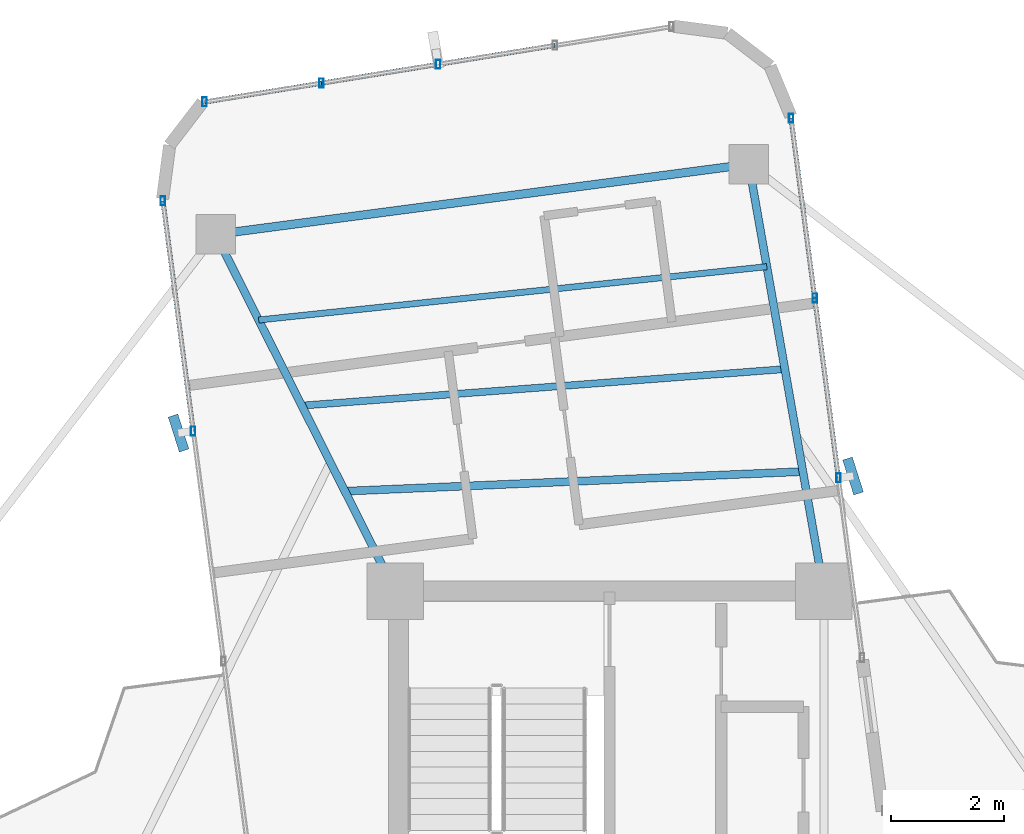
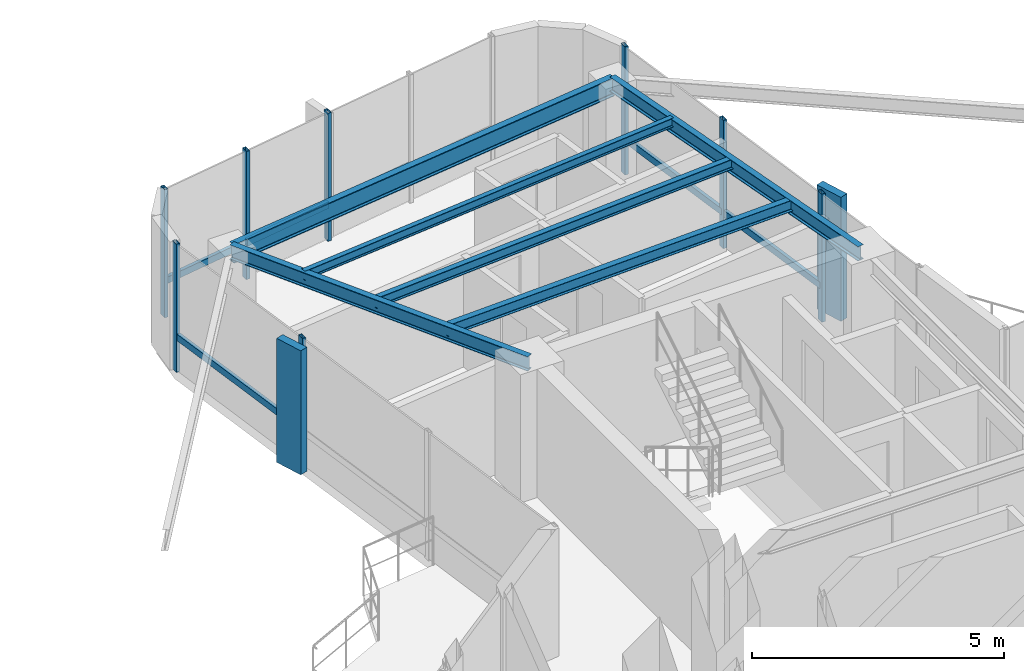
# One storey, part 14 of 22: 16 members, 6 beams, 3 elements without a shape of their own.
"""IFC4 building model written with IfcOpenShell, lengths in metres."""

from ifc_helpers import new_model, si_unit, direction, frame, origin, origin_2d, place, context, subcontext, project, spatial, rectangle, hollow_rectangle, i_section, extrude, source, transform, mapped, material, material_profile, profile_set, type_object, element, aggregate, save


model = new_model("IFC4")

# Units and contexts
model_context = context("Model", 3, precision=1e-05, world=origin(), true_north=direction((0.0, 1.0)))
body_context = subcontext(model_context, "Body", "Model", "MODEL_VIEW")
ifc_project = project(units=[si_unit("LENGTHUNIT", "METRE"), si_unit("AREAUNIT", "SQUARE_METRE"), si_unit("VOLUMEUNIT", "CUBIC_METRE"), si_unit("PLANEANGLEUNIT", "RADIAN"), si_unit("MASSUNIT", "GRAM", prefix="KILO")], contexts=[model_context])

# Site, building, storey
site_placement = place(None, origin())
site = spatial("IfcSite", under=ifc_project, at=site_placement, CompositionType="ELEMENT")
building_placement = place(site_placement, origin())
building = spatial("IfcBuilding", under=site, at=building_placement, Name="Sahyath Konkavel Grand Hotel", CompositionType="ELEMENT")
storey_placement = place(building_placement, frame((0.0, 0.0, 244.5)))
storey = spatial("IfcBuildingStorey", under=building, at=storey_placement, Name="L68", CompositionType="ELEMENT", Elevation=244.5)

# Beams
ifc_material_1 = material(Name="Steel E350", Category="steel")
ifc_material_profile_1 = material_profile(ifc_material_1, i_section(OverallWidth=0.139892578125, OverallDepth=0.35009765625, WebThickness=0.008056640625, FlangeThickness=0.01416015625, FilletRadius=0.013916015625, at=origin_2d()), Name="ISMB 350")
ifc_profile_set_1 = profile_set([ifc_material_profile_1], Name="Steel E350")
beam_type_1 = type_object("IfcBeamType", Name="BM-ISMB350", PredefinedType="BEAM", material=ifc_profile_set_1)
shared_shape_1 = source(origin(), body_context, "Body", "SweptSolid", [
    extrude(i_section(OverallWidth=0.139892578125, OverallDepth=0.35009765625, WebThickness=0.008056640625, FlangeThickness=0.01416015625, FilletRadius=0.013916015625, at=origin_2d()), origin(), (0.0, 0.0, 1.0), 7.68359375),
])
beam_1_placement = place(storey_placement, frame((3.800048828125, 10.199951171875, 2.93505859375), z_axis=(-0.173234265349, 0.984880647241, 0.0), x_axis=(-0.984880647241, -0.173234265349, 0.0)))
element("IfcBeam", 1, at=beam_1_placement, inside=storey, type_object=beam_type_1, Name="L68 Cruciform Radial Girder NA", PredefinedType="BEAM", context=body_context, shape_type="MappedRepresentation", body=[
    mapped(shared_shape_1, transform((0.0, 0.0, 0.0), scale=1.0)),
])
shared_shape_2 = source(origin(), body_context, "Body", "SweptSolid", [
    extrude(i_section(OverallWidth=0.139892578125, OverallDepth=0.35009765625, WebThickness=0.008056640625, FlangeThickness=0.01416015625, FilletRadius=0.013916015625, at=origin_2d()), origin(), (0.0, 0.0, 1.0), 7.078857421875),
])
beam_2_placement = place(storey_placement, frame((-3.800048828125, 10.199951171875, 2.93505859375), z_axis=(-0.449695041193, 0.893182159431, 0.0), x_axis=(-0.893182159431, -0.449695041193, 0.0)))
element("IfcBeam", 2, at=beam_2_placement, inside=storey, type_object=beam_type_1, Name="L68 Cruciform Radial Girder NB", PredefinedType="BEAM", context=body_context, shape_type="MappedRepresentation", body=[
    mapped(shared_shape_2, transform((0.0, 0.0, 0.0), scale=1.0)),
])
ifc_material_profile_2 = material_profile(ifc_material_1, i_section(OverallWidth=0.14990234375, OverallDepth=0.449951171875, WebThickness=0.009521484375, FlangeThickness=0.017333984375, FilletRadius=0.014892578125, at=origin_2d()), Name="ISMB 450")
ifc_profile_set_2 = profile_set([ifc_material_profile_2], Name="Steel E350")
beam_type_2 = type_object("IfcBeamType", Name="BM-ISMB450", PredefinedType="BEAM", material=ifc_profile_set_2)
shared_shape_3 = source(origin(), body_context, "Body", "SweptSolid", [
    extrude(i_section(OverallWidth=0.14990234375, OverallDepth=0.449951171875, WebThickness=0.009521484375, FlangeThickness=0.017333984375, FilletRadius=0.014892578125, at=origin_2d()), origin(), (0.0, 0.0, 1.0), 9.533935546875),
])
beam_3_placement = place(storey_placement, frame((2.468994140625, 17.767333984375, 2.885009765625), z_axis=(-0.99144217612, -0.130546587129, 0.0), x_axis=(0.130546587129, -0.99144217612, 0.0)))
element("IfcBeam", 3, at=beam_3_placement, inside=storey, type_object=beam_type_2, Name="L68 Wing Tip Edge Beam N", PredefinedType="BEAM", context=body_context, shape_type="MappedRepresentation", body=[
    mapped(shared_shape_3, transform((0.0, 0.0, 0.0), scale=1.0)),
])
ifc_material_profile_3 = material_profile(ifc_material_1, i_section(OverallWidth=0.139892578125, OverallDepth=0.27490234375, WebThickness=0.00634765625, FlangeThickness=0.0087890625, FilletRadius=0.012939453125, at=origin_2d()), Name="ISLB 275")
ifc_profile_set_3 = profile_set([ifc_material_profile_3], Name="Steel E350")
beam_type_3 = type_object("IfcBeamType", Name="BM-ISLB275", PredefinedType="BEAM", material=ifc_profile_set_3)
shared_shape_4 = source(origin(), body_context, "Body", "SweptSolid", [
    extrude(i_section(OverallWidth=0.139892578125, OverallDepth=0.27490234375, WebThickness=0.00634765625, FlangeThickness=0.0087890625, FilletRadius=0.012939453125, at=origin_2d()), origin(), (0.0, 0.0, 1.0), 8.126220703125),
])
beam_4_placement = place(storey_placement, frame((3.42724609375, 12.31884765625, 2.972412109375), z_axis=(-0.999080544167, -0.042872675062, 0.0), x_axis=(0.042872675062, -0.999080544167, 0.0)))
element("IfcBeam", 4, at=beam_4_placement, inside=storey, type_object=beam_type_3, Name="L68 Secondary Floor Beam N-1", PredefinedType="BEAM", context=body_context, shape_type="MappedRepresentation", body=[
    mapped(shared_shape_4, transform((0.0, 0.0, 0.0), scale=1.0)),
])
ifc_material_profile_4 = material_profile(ifc_material_1, i_section(OverallWidth=0.125, OverallDepth=0.25, WebThickness=0.0068359375, FlangeThickness=0.012451171875, FilletRadius=0.012939453125, at=origin_2d()), Name="ISMB 250")
ifc_profile_set_4 = profile_set([ifc_material_profile_4], Name="Steel E350")
beam_type_4 = type_object("IfcBeamType", Name="BM-ISMB250", PredefinedType="BEAM", material=ifc_profile_set_4)
shared_shape_5 = source(origin(), body_context, "Body", "SweptSolid", [
    extrude(i_section(OverallWidth=0.125, OverallDepth=0.25, WebThickness=0.0068359375, FlangeThickness=0.012451171875, FilletRadius=0.012939453125, at=origin_2d()), origin(), (0.0, 0.0, 1.0), 8.587646484375),
])
beam_5_placement = place(storey_placement, frame((3.10791015625, 14.135009765625, 2.985107421875), z_axis=(-0.997155943086, -0.0753659417, 0.0), x_axis=(0.0753659417, -0.997155943086, 0.0)))
element("IfcBeam", 5, at=beam_5_placement, inside=storey, type_object=beam_type_4, Name="L68 Secondary Floor Beam N-2", PredefinedType="BEAM", context=body_context, shape_type="MappedRepresentation", body=[
    mapped(shared_shape_5, transform((0.0, 0.0, 0.0), scale=1.0)),
])
ifc_material_profile_5 = material_profile(ifc_material_1, i_section(OverallWidth=0.110107421875, OverallDepth=0.22509765625, WebThickness=0.006591796875, FlangeThickness=0.01171875, FilletRadius=0.011962890625, at=origin_2d()), Name="ISMB 225")
ifc_profile_set_5 = profile_set([ifc_material_profile_5], Name="Steel E350")
beam_type_5 = type_object("IfcBeamType", Name="BM-ISMB225", PredefinedType="BEAM", material=ifc_profile_set_5)
shared_shape_6 = source(origin(), body_context, "Body", "SweptSolid", [
    extrude(i_section(OverallWidth=0.110107421875, OverallDepth=0.22509765625, WebThickness=0.006591796875, FlangeThickness=0.01171875, FilletRadius=0.011962890625, at=origin_2d()), origin(), (0.0, 0.0, 1.0), 9.057373046875),
])
beam_6_placement = place(storey_placement, frame((2.788330078125, 15.951171875, 2.99755859375), z_axis=(-0.994532890656, -0.104423797116, 0.0), x_axis=(0.104423797116, -0.994532890656, 0.0)))
element("IfcBeam", 6, at=beam_6_placement, inside=storey, type_object=beam_type_5, Name="L68 Secondary Floor Beam N-3", PredefinedType="BEAM", context=body_context, shape_type="MappedRepresentation", body=[
    mapped(shared_shape_6, transform((0.0, 0.0, 0.0), scale=1.0)),
])

# Curtain wall, member
ifc_material_2 = material(Name="Anodised Bronze Aluminium & Low-E Glazing", Category="aluminium")
curtain_wall_type = type_object("IfcCurtainWallType", Name="CW-ZONE4", PredefinedType="NOTDEFINED", material=ifc_material_2)
curtain_wall_1_placement = place(storey_placement, origin())
curtain_wall_1 = element("IfcCurtainWall", 7, at=curtain_wall_1_placement, inside=storey, type_object=curtain_wall_type, Name="L68 Unitised Curtain Wall F8", PredefinedType="NOTDEFINED")
ifc_material_3 = material(Name="Warm Buff Sandstone Cladding on Concrete C50/60", Category="masonry")
ifc_material_profile_6 = material_profile(ifc_material_3, rectangle(XDim=0.179931640625, YDim=0.64990234375, at=origin_2d()), Name="FIN 180x650")
ifc_profile_set_6 = profile_set([ifc_material_profile_6], Name="Warm Buff Sandstone Cladding on Concrete C50/60")
member_type_1 = type_object("IfcMemberType", Name="FIN-SANDSTONE-650", PredefinedType="MULLION", material=ifc_profile_set_6)
shared_shape_7 = source(origin(), body_context, "Body", "SweptSolid", [
    extrude(rectangle(XDim=0.179931640625, YDim=0.64990234375, at=origin_2d()), origin(), (0.0, 0.0, 1.0), 3.010009765625),
])
member_1_placement = place(storey_placement, frame((4.31640625, 12.240478515625, 0.050048828125), z_axis=(0.0, 0.0, 1.0), x_axis=(0.953032216634, 0.302868938746, 0.0)))
member_1 = element("IfcMember", 8, at=member_1_placement, type_object=member_type_1, Name="L68 Sandstone Vertical Solar Fin FIN F8-1", PredefinedType="MULLION", context=body_context, shape_type="MappedRepresentation", body=[
    mapped(shared_shape_7, transform((0.0, 0.0, 0.0), scale=1.0)),
])

curtain_wall_2_placement = place(storey_placement, origin())
curtain_wall_2 = element("IfcCurtainWall", 9, at=curtain_wall_2_placement, inside=storey, type_object=curtain_wall_type, Name="L68 Unitised Curtain Wall F15", PredefinedType="NOTDEFINED")
member_2_placement = place(storey_placement, frame((-7.639404296875, 13.001708984375, 0.050048828125), z_axis=(0.0, 0.0, 1.0), x_axis=(0.953032216634, 0.302868938746, 0.0)))
member_2 = element("IfcMember", 10, at=member_2_placement, type_object=member_type_1, Name="L68 Sandstone Vertical Solar Fin FIN F15-1", PredefinedType="MULLION", context=body_context, shape_type="MappedRepresentation", body=[
    mapped(shared_shape_7, transform((0.0, 0.0, 0.0), scale=1.0)),
])

# Member
ifc_material_4 = material(Name="Anodised Bronze Aluminium", Category="aluminium")
ifc_material_profile_7 = material_profile(ifc_material_4, hollow_rectangle(XDim=0.080078125, YDim=0.159912109375, WallThickness=0.006103515625, at=origin_2d()), Name="RHS 160x80x6")
ifc_profile_set_7 = profile_set([ifc_material_profile_7], Name="Anodised Bronze Aluminium")
member_type_2 = type_object("IfcMemberType", Name="CW-MUL-160", PredefinedType="MULLION", material=ifc_profile_set_7)
shared_shape_8 = source(origin(), body_context, "Body", "SweptSolid", [
    extrude(hollow_rectangle(XDim=0.080078125, YDim=0.159912109375, WallThickness=0.006103515625, at=origin_2d()), origin(), (0.0, 0.0, 1.0), 3.110107421875),
])
member_3_placement = place(storey_placement, frame((4.05859375, 12.20654296875, 0.0), z_axis=(0.0, 0.0, 1.0), x_axis=(1.0, 0.0, 0.0)))
member_3 = element("IfcMember", 11, at=member_3_placement, type_object=member_type_2, Name="L68 Curtain Wall Mullion F8-1", PredefinedType="MULLION", context=body_context, shape_type="MappedRepresentation", body=[
    mapped(shared_shape_8, transform((0.0, 0.0, 0.0), scale=1.0)),
])

member_4_placement = place(storey_placement, frame((3.638916015625, 15.394287109375, 0.0), z_axis=(0.0, 0.0, 1.0), x_axis=(1.0, 0.0, 0.0)))
member_4 = element("IfcMember", 12, at=member_4_placement, type_object=member_type_2, Name="L68 Curtain Wall Mullion F8-2", PredefinedType="MULLION", context=body_context, shape_type="MappedRepresentation", body=[
    mapped(shared_shape_8, transform((0.0, 0.0, 0.0), scale=1.0)),
])

member_5_placement = place(storey_placement, frame((3.218994140625, 18.58203125, 0.0), z_axis=(0.0, 0.0, 1.0), x_axis=(1.0, 0.0, 0.0)))
member_5 = element("IfcMember", 13, at=member_5_placement, type_object=member_type_2, Name="L68 Curtain Wall Mullion F8-3", PredefinedType="MULLION", context=body_context, shape_type="MappedRepresentation", body=[
    mapped(shared_shape_8, transform((0.0, 0.0, 0.0), scale=1.0)),
])

# Curtain wall, members
curtain_wall_3_placement = place(storey_placement, origin())
curtain_wall_3 = element("IfcCurtainWall", 14, at=curtain_wall_3_placement, inside=storey, type_object=curtain_wall_type, Name="L68 Unitised Curtain Wall F12", PredefinedType="NOTDEFINED")
member_6_placement = place(storey_placement, frame((-3.038818359375, 19.53955078125, 0.0), z_axis=(0.0, 0.0, 1.0), x_axis=(1.0, 0.0, 0.0)))
member_6 = element("IfcMember", 15, at=member_6_placement, type_object=member_type_2, Name="L68 Curtain Wall Mullion F12-2", PredefinedType="MULLION", context=body_context, shape_type="MappedRepresentation", body=[
    mapped(shared_shape_8, transform((0.0, 0.0, 0.0), scale=1.0)),
])
member_7_placement = place(storey_placement, frame((-5.10791015625, 19.205322265625, 0.0), z_axis=(0.0, 0.0, 1.0), x_axis=(1.0, 0.0, 0.0)))
member_7 = element("IfcMember", 16, at=member_7_placement, type_object=member_type_2, Name="L68 Curtain Wall Mullion F12-3", PredefinedType="MULLION", context=body_context, shape_type="MappedRepresentation", body=[
    mapped(shared_shape_8, transform((0.0, 0.0, 0.0), scale=1.0)),
])
member_8_placement = place(storey_placement, frame((-7.176513671875, 18.87109375, 0.0), z_axis=(0.0, 0.0, 1.0), x_axis=(1.0, 0.0, 0.0)))
member_8 = element("IfcMember", 17, at=member_8_placement, type_object=member_type_2, Name="L68 Curtain Wall Mullion F12-4", PredefinedType="MULLION", context=body_context, shape_type="MappedRepresentation", body=[
    mapped(shared_shape_8, transform((0.0, 0.0, 0.0), scale=1.0)),
])

# Member
member_9_placement = place(storey_placement, frame((-7.918701171875, 17.11572265625, 0.0), z_axis=(0.0, 0.0, 1.0), x_axis=(1.0, 0.0, 0.0)))
member_9 = element("IfcMember", 18, at=member_9_placement, type_object=member_type_2, Name="L68 Curtain Wall Mullion F15-0", PredefinedType="MULLION", context=body_context, shape_type="MappedRepresentation", body=[
    mapped(shared_shape_8, transform((0.0, 0.0, 0.0), scale=1.0)),
])

member_10_placement = place(storey_placement, frame((-7.381591796875, 13.03564453125, 0.0), z_axis=(0.0, 0.0, 1.0), x_axis=(1.0, 0.0, 0.0)))
member_10 = element("IfcMember", 19, at=member_10_placement, type_object=member_type_2, Name="L68 Curtain Wall Mullion F15-1", PredefinedType="MULLION", context=body_context, shape_type="MappedRepresentation", body=[
    mapped(shared_shape_8, transform((0.0, 0.0, 0.0), scale=1.0)),
])

ifc_material_profile_8 = material_profile(ifc_material_4, hollow_rectangle(XDim=0.080078125, YDim=0.159912109375, WallThickness=0.006103515625, at=origin_2d()), Name="RHS 160x80x6")
ifc_profile_set_8 = profile_set([ifc_material_profile_8], Name="Anodised Bronze Aluminium")
member_type_3 = type_object("IfcMemberType", Name="CW-TRN-160", PredefinedType="USERDEFINED", material=ifc_profile_set_8)
shared_shape_9 = source(origin(), body_context, "Body", "SweptSolid", [
    extrude(hollow_rectangle(XDim=0.080078125, YDim=0.159912109375, WallThickness=0.006103515625, at=origin_2d()), origin(), (0.0, 0.0, 1.0), 3.21533203125),
])
member_11_placement = place(storey_placement, frame((4.05859375, 12.20654296875, 0.85009765625), z_axis=(-0.130527187822, 0.9914447303, 0.0), x_axis=(-0.9914447303, -0.130527187822, 0.0)))
member_11 = element("IfcMember", 20, at=member_11_placement, type_object=member_type_3, Name="L68 Curtain Wall Transom F8-1-spandrel", ObjectType="TRANSOM", PredefinedType="USERDEFINED", context=body_context, shape_type="MappedRepresentation", body=[
    mapped(shared_shape_9, transform((0.0, 0.0, 0.0), scale=1.0)),
])

member_12_placement = place(storey_placement, frame((3.638916015625, 15.394287109375, 0.85009765625), z_axis=(-0.130601825078, 0.991434901184, 0.0), x_axis=(-0.991434901184, -0.130601825078, 0.0)))
member_12 = element("IfcMember", 21, at=member_12_placement, type_object=member_type_3, Name="L68 Curtain Wall Transom F8-2-spandrel", ObjectType="TRANSOM", PredefinedType="USERDEFINED", context=body_context, shape_type="MappedRepresentation", body=[
    mapped(shared_shape_9, transform((0.0, 0.0, 0.0), scale=1.0)),
])

aggregate(curtain_wall_1, [member_3, member_1, member_4, member_5, member_11, member_12])

shared_shape_10 = source(origin(), body_context, "Body", "SweptSolid", [
    extrude(hollow_rectangle(XDim=0.080078125, YDim=0.159912109375, WallThickness=0.006103515625, at=origin_2d()), origin(), (0.0, 0.0, 1.0), 2.095458984375),
])
member_13_placement = place(storey_placement, frame((-0.97021484375, 19.873779296875, 0.85009765625), z_axis=(-0.987197362347, -0.15950350396, 0.0), x_axis=(0.15950350396, -0.987197362347, 0.0)))
member_13 = element("IfcMember", 22, at=member_13_placement, type_object=member_type_3, Name="L68 Curtain Wall Transom F12-1-spandrel", ObjectType="TRANSOM", PredefinedType="USERDEFINED", context=body_context, shape_type="MappedRepresentation", body=[
    mapped(shared_shape_10, transform((0.0, 0.0, 0.0), scale=1.0)),
])

member_14_placement = place(storey_placement, frame((-5.10791015625, 19.205322265625, 0.85009765625), z_axis=(-0.987197362347, -0.15950350396, 0.0), x_axis=(0.15950350396, -0.987197362347, 0.0)))
member_14 = element("IfcMember", 23, at=member_14_placement, type_object=member_type_3, Name="L68 Curtain Wall Transom F12-3-spandrel", ObjectType="TRANSOM", PredefinedType="USERDEFINED", context=body_context, shape_type="MappedRepresentation", body=[
    mapped(shared_shape_10, transform((0.0, 0.0, 0.0), scale=1.0)),
])

shared_shape_11 = source(origin(), body_context, "Body", "SweptSolid", [
    extrude(hollow_rectangle(XDim=0.080078125, YDim=0.159912109375, WallThickness=0.006103515625, at=origin_2d()), origin(), (0.0, 0.0, 1.0), 2.095947265625),
])
member_15_placement = place(storey_placement, frame((-3.038818359375, 19.53955078125, 0.85009765625), z_axis=(-0.987203288698, -0.159466820322, 0.0), x_axis=(0.159466820322, -0.987203288698, 0.0)))
member_15 = element("IfcMember", 24, at=member_15_placement, type_object=member_type_3, Name="L68 Curtain Wall Transom F12-2-spandrel", ObjectType="TRANSOM", PredefinedType="USERDEFINED", context=body_context, shape_type="MappedRepresentation", body=[
    mapped(shared_shape_11, transform((0.0, 0.0, 0.0), scale=1.0)),
])

aggregate(curtain_wall_3, [member_6, member_7, member_8, member_13, member_15, member_14])

shared_shape_12 = source(origin(), body_context, "Body", "SweptSolid", [
    extrude(hollow_rectangle(XDim=0.080078125, YDim=0.159912109375, WallThickness=0.006103515625, at=origin_2d()), origin(), (0.0, 0.0, 1.0), 4.115234375),
])
member_16_placement = place(storey_placement, frame((-7.918701171875, 17.11572265625, 0.85009765625), z_axis=(0.130515897359, -0.991446216664, 0.0), x_axis=(0.991446216664, 0.130515897359, 0.0)))
member_16 = element("IfcMember", 25, at=member_16_placement, type_object=member_type_3, Name="L68 Curtain Wall Transom F15-0-spandrel", ObjectType="TRANSOM", PredefinedType="USERDEFINED", context=body_context, shape_type="MappedRepresentation", body=[
    mapped(shared_shape_12, transform((0.0, 0.0, 0.0), scale=1.0)),
])

aggregate(curtain_wall_2, [member_9, member_10, member_2, member_16])

save(model, "model.ifc")
